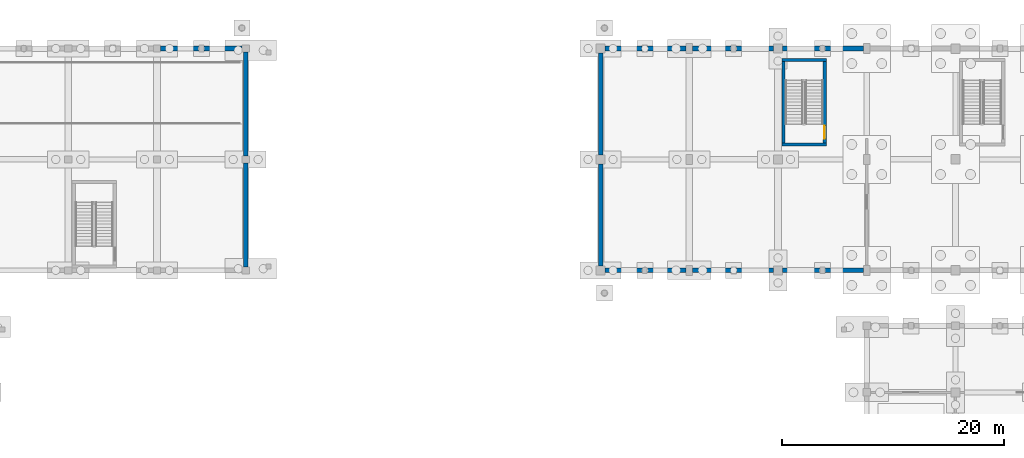
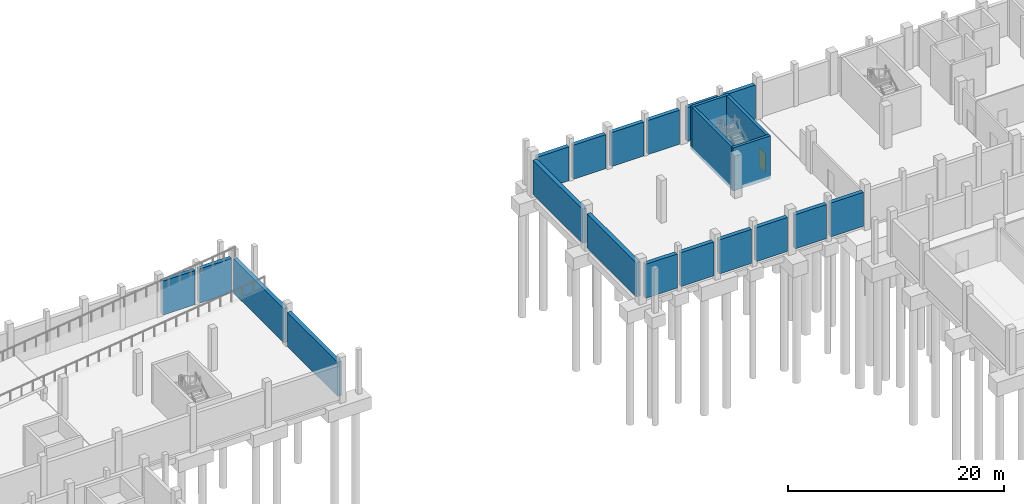
# One storey, part 30 of 52: 22 walls, 1 door, 1 opening.
"""IFC4 building model written with IfcOpenShell, lengths in metres."""

from ifc_helpers import new_model, si_unit, direction, frame, frame_2d, origin, place, context, subcontext, project, spatial, rectangle, extrude, material, layer, layer_set, type_object, element, fill, save


model = new_model("IFC4")

# Units and contexts
model_context = context("Model", 3, precision=1e-05, world=origin(), true_north=direction((0.0, 1.0)))
body_context = subcontext(model_context, "Body", "Model", "MODEL_VIEW")
ifc_project = project(units=[si_unit("LENGTHUNIT", "METRE"), si_unit("AREAUNIT", "SQUARE_METRE"), si_unit("VOLUMEUNIT", "CUBIC_METRE"), si_unit("PLANEANGLEUNIT", "RADIAN"), si_unit("MASSUNIT", "GRAM", prefix="KILO")], contexts=[model_context])

# Site, building, storey
site_placement = place(None, origin())
site = spatial("IfcSite", under=ifc_project, at=site_placement, CompositionType="ELEMENT")
building_placement = place(site_placement, origin())
building = spatial("IfcBuilding", under=site, at=building_placement, Name="Luwemba Playhouse", CompositionType="ELEMENT")
storey_placement = place(building_placement, frame((0.0, 0.0, -4.800048828125)))
storey = spatial("IfcBuildingStorey", under=building, at=storey_placement, Name="B1", CompositionType="ELEMENT", Elevation=-4.800048828125)

# Walls
ifc_material_1 = material(Name="Concrete C40/50", Category="concrete")
ifc_layer_1 = layer(ifc_material_1, 0.300048828125)
ifc_layer_set_1 = layer_set([ifc_layer_1], Name="Concrete C40/50")
wall_type_1 = type_object("IfcWallType", Name="WAL-CORE-300", PredefinedType="SHEAR", material=ifc_layer_set_1)
for number, where, z_axis, x_axis, name in (
    (1, (124.35009765625, 106.35009765625, -0.3798828125), (0.0, 0.0, 1.0), (1.0, 0.0, 0.0), "B1 ST-16 stair core wall S"),
    (2, (128.35009765625, 113.969970703125, -0.3798828125), (0.0, 0.0, 1.0), (-1.0, 0.0, 0.0), "B1 ST-16 stair core wall N"),
):
    element("IfcWall", number, at=place(storey_placement, frame(where, z_axis=z_axis, x_axis=x_axis)), inside=storey, type_object=wall_type_1, Name=name, PredefinedType="SHEAR", context=body_context, shape_type="SweptSolid", body=[
        extrude(rectangle(XDim=4.0, YDim=0.300048828125, at=frame_2d((2.0, 0.0))), origin(), (0.0, 0.0, 1.0), 4.8798828125),
    ])
wall_1_placement = place(storey_placement, frame((124.5, 106.5, -0.3798828125), z_axis=(0.0, 0.0, 1.0), x_axis=(0.0, 1.0, 0.0)))
element("IfcWall", 3, at=wall_1_placement, inside=storey, type_object=wall_type_1, Name="B1 ST-16 stair core wall W", PredefinedType="SHEAR", context=body_context, shape_type="SweptSolid", body=[
    extrude(rectangle(XDim=7.320068359375, YDim=0.300048828125, at=frame_2d((3.66015625, 0.0))), origin(), (0.0, 0.0, 1.0), 4.8798828125),
])

# Wall, opening, door
wall_2_placement = place(storey_placement, frame((128.199951171875, 106.5, -0.3798828125), z_axis=(0.0, 0.0, 1.0), x_axis=(0.0, 1.0, 0.0)))
wall_2 = element("IfcWall", 4, at=wall_2_placement, inside=storey, type_object=wall_type_1, Name="B1 ST-16 stair core wall E", PredefinedType="SHEAR", context=body_context, shape_type="SweptSolid", body=[
    extrude(rectangle(XDim=7.320068359375, YDim=0.300048828125, at=frame_2d((3.66015625, 0.0))), origin(), (0.0, 0.0, 1.0), 4.8798828125),
])
opening_placement = place(wall_2_placement, frame((0.35009765625, 0.0, 0.3798828125)))
opening = element("IfcOpeningElement", 5, at=opening_placement, cuts=wall_2, Name="Opening D-STAIR3", PredefinedType="OPENING", context=body_context, shape_type="SweptSolid", body=[
    extrude(rectangle(XDim=1.199951171875, YDim=2.14990234375, at=frame_2d((0.60009765625, 1.074951171875))), frame((0.0, 0.159912109375, 0.0), z_axis=(0.0, -1.0, 0.0), x_axis=(1.0, 0.0, 0.0)), (0.0, 0.0, 1.0), 0.320068359375),
])
ifc_material_2 = material(Name="Hardwood acoustic fire door leaf", Category="wood")
door_type = type_object("IfcDoorType", Name="DR-STAIR-120", OperationType="NOTDEFINED", PredefinedType="DOOR", material=ifc_material_2)
door_placement = place(opening_placement, origin())
door = element("IfcDoor", 6, at=door_placement, inside=storey, type_object=door_type, Name="B1 ST-16 protected stair entry door", OperationType="SINGLE_SWING_RIGHT", OverallHeight=2.14990234375, OverallWidth=1.199951171875, PredefinedType="DOOR", context=body_context, shape_type="SweptSolid", body=[
    extrude(rectangle(XDim=1.199951171875, YDim=2.14990234375, at=frame_2d((0.60009765625, 1.074951171875))), frame((0.0, 0.02490234375, 0.0), z_axis=(0.0, -1.0, 0.0), x_axis=(1.0, 0.0, 0.0)), (0.0, 0.0, 1.0), 0.050048828125),
])
fill(opening, door)

# Walls
ifc_material_3 = material(Name="Concrete C32/40", Category="concrete")
ifc_layer_2 = layer(ifc_material_3, 0.419921875)
ifc_layer_set_2 = layer_set([ifc_layer_2], Name="Concrete C32/40")
wall_type_2 = type_object("IfcWallType", Name="WAL-RET-420", PredefinedType="USERDEFINED", material=ifc_layer_set_2)
for number, where, z_axis, x_axis, name in (
    (7, (68.324951171875, 115.0, 0.0), (0.0, 0.0, 1.0), (1.0, 0.0, 0.0), "Basement retaining wall 169"),
    (8, (72.22509765625, 115.0, 0.0), (0.0, 0.0, 1.0), (1.0, 0.0, 0.0), "Basement retaining wall 170"),
):
    element("IfcWall", number, at=place(storey_placement, frame(where, z_axis=z_axis, x_axis=x_axis)), inside=storey, type_object=wall_type_2, Name=name, ObjectType="RETAINING WALL", PredefinedType="USERDEFINED", context=body_context, shape_type="SweptSolid", body=[
        extrude(rectangle(XDim=3.449951171875, YDim=0.419921875, at=frame_2d((1.72509765625, 0.0))), origin(), (0.0, 0.0, 1.0), 3.85009765625),
    ])
for number, where, z_axis, x_axis, name in (
    (9, (76.0, 114.675048828125, 0.0), (0.0, 0.0, 1.0), (0.0, -1.0, 0.0), "Basement retaining wall 171"),
    (10, (76.0, 104.675048828125, 0.0), (0.0, 0.0, 1.0), (0.0, -1.0, 0.0), "Basement retaining wall 172"),
):
    element("IfcWall", number, at=place(storey_placement, frame(where, z_axis=z_axis, x_axis=x_axis)), inside=storey, type_object=wall_type_2, Name=name, ObjectType="RETAINING WALL", PredefinedType="USERDEFINED", context=body_context, shape_type="SweptSolid", body=[
        extrude(rectangle(XDim=9.35009765625, YDim=0.419921875, at=frame_2d((4.675048828125, 0.0))), origin(), (0.0, 0.0, 1.0), 3.85009765625),
    ])
for number, where, z_axis, x_axis, name in (
    (11, (108.0, 95.39990234375, 0.0), (0.0, 0.0, 1.0), (0.0, 1.0, 0.0), "Basement retaining wall 184"),
    (12, (108.0, 105.39990234375, 0.0), (0.0, 0.0, 1.0), (0.0, 1.0, 0.0), "Basement retaining wall 185"),
):
    element("IfcWall", number, at=place(storey_placement, frame(where, z_axis=z_axis, x_axis=x_axis)), inside=storey, type_object=wall_type_2, Name=name, ObjectType="RETAINING WALL", PredefinedType="USERDEFINED", context=body_context, shape_type="SweptSolid", body=[
        extrude(rectangle(XDim=9.2001953125, YDim=0.419921875, at=frame_2d((4.60009765625, 0.0))), origin(), (0.0, 0.0, 1.0), 3.85009765625),
    ])
wall_3_placement = place(storey_placement, frame((108.39990234375, 115.0, 0.0), z_axis=(0.0, 0.0, 1.0), x_axis=(1.0, 0.0, 0.0)))
element("IfcWall", 13, at=wall_3_placement, inside=storey, type_object=wall_type_2, Name="Basement retaining wall 186", ObjectType="RETAINING WALL", PredefinedType="USERDEFINED", context=body_context, shape_type="SweptSolid", body=[
    extrude(rectangle(XDim=3.35009765625, YDim=0.419921875, at=frame_2d((1.675048828125, 0.0))), origin(), (0.0, 0.0, 1.0), 3.85009765625),
])
wall_4_placement = place(storey_placement, frame((112.25, 115.0, 0.0), z_axis=(0.0, 0.0, 1.0), x_axis=(1.0, 0.0, 0.0)))
element("IfcWall", 14, at=wall_4_placement, inside=storey, type_object=wall_type_2, Name="Basement retaining wall 187", ObjectType="RETAINING WALL", PredefinedType="USERDEFINED", context=body_context, shape_type="SweptSolid", body=[
    extrude(rectangle(XDim=3.449951171875, YDim=0.419921875, at=frame_2d((1.72509765625, 0.0))), origin(), (0.0, 0.0, 1.0), 3.85009765625),
])
wall_5_placement = place(storey_placement, frame((116.300048828125, 115.0, 0.0), z_axis=(0.0, 0.0, 1.0), x_axis=(1.0, 0.0, 0.0)))
element("IfcWall", 15, at=wall_5_placement, inside=storey, type_object=wall_type_2, Name="Basement retaining wall 188", ObjectType="RETAINING WALL", PredefinedType="USERDEFINED", context=body_context, shape_type="SweptSolid", body=[
    extrude(rectangle(XDim=3.474853515625, YDim=0.419921875, at=frame_2d((1.7373046875, 0.0))), origin(), (0.0, 0.0, 1.0), 3.85009765625),
])
wall_6_placement = place(storey_placement, frame((120.22509765625, 115.0, 0.0), z_axis=(0.0, 0.0, 1.0), x_axis=(1.0, 0.0, 0.0)))
element("IfcWall", 16, at=wall_6_placement, inside=storey, type_object=wall_type_2, Name="Basement retaining wall 189", ObjectType="RETAINING WALL", PredefinedType="USERDEFINED", context=body_context, shape_type="SweptSolid", body=[
    extrude(rectangle(XDim=3.375, YDim=0.419921875, at=frame_2d((1.6875, 0.0))), origin(), (0.0, 0.0, 1.0), 3.85009765625),
])
wall_7_placement = place(storey_placement, frame((124.39990234375, 115.0, 0.0), z_axis=(0.0, 0.0, 1.0), x_axis=(1.0, 0.0, 0.0)))
element("IfcWall", 17, at=wall_7_placement, inside=storey, type_object=wall_type_2, Name="Basement retaining wall 190", ObjectType="RETAINING WALL", PredefinedType="USERDEFINED", context=body_context, shape_type="SweptSolid", body=[
    extrude(rectangle(XDim=3.400146484375, YDim=0.419921875, at=frame_2d((1.7001953125, 0.0))), origin(), (0.0, 0.0, 1.0), 3.85009765625),
])
wall_8_placement = place(storey_placement, frame((128.199951171875, 115.0, 0.0), z_axis=(0.0, 0.0, 1.0), x_axis=(1.0, 0.0, 0.0)))
element("IfcWall", 18, at=wall_8_placement, inside=storey, type_object=wall_type_2, Name="Basement retaining wall 191", ObjectType="RETAINING WALL", PredefinedType="USERDEFINED", context=body_context, shape_type="SweptSolid", body=[
    extrude(rectangle(XDim=3.5, YDim=0.419921875, at=frame_2d((1.75, 0.0))), origin(), (0.0, 0.0, 1.0), 3.85009765625),
])
wall_9_placement = place(storey_placement, frame((131.699951171875, 95.0, 0.0), z_axis=(0.0, 0.0, 1.0), x_axis=(-1.0, 0.0, 0.0)))
element("IfcWall", 19, at=wall_9_placement, inside=storey, type_object=wall_type_2, Name="Basement retaining wall 214", ObjectType="RETAINING WALL", PredefinedType="USERDEFINED", context=body_context, shape_type="SweptSolid", body=[
    extrude(rectangle(XDim=3.474853515625, YDim=0.419921875, at=frame_2d((1.7373046875, 0.0))), origin(), (0.0, 0.0, 1.0), 3.85009765625),
])
wall_10_placement = place(storey_placement, frame((127.77490234375, 95.0, 0.0), z_axis=(0.0, 0.0, 1.0), x_axis=(-1.0, 0.0, 0.0)))
element("IfcWall", 20, at=wall_10_placement, inside=storey, type_object=wall_type_2, Name="Basement retaining wall 215", ObjectType="RETAINING WALL", PredefinedType="USERDEFINED", context=body_context, shape_type="SweptSolid", body=[
    extrude(rectangle(XDim=3.375, YDim=0.419921875, at=frame_2d((1.6875, 0.0))), origin(), (0.0, 0.0, 1.0), 3.85009765625),
])
wall_11_placement = place(storey_placement, frame((123.60009765625, 95.0, 0.0), z_axis=(0.0, 0.0, 1.0), x_axis=(-1.0, 0.0, 0.0)))
element("IfcWall", 21, at=wall_11_placement, inside=storey, type_object=wall_type_2, Name="Basement retaining wall 216", ObjectType="RETAINING WALL", PredefinedType="USERDEFINED", context=body_context, shape_type="SweptSolid", body=[
    extrude(rectangle(XDim=3.35009765625, YDim=0.419921875, at=frame_2d((1.675048828125, 0.0))), origin(), (0.0, 0.0, 1.0), 3.85009765625),
])
wall_12_placement = place(storey_placement, frame((119.75, 95.0, 0.0), z_axis=(0.0, 0.0, 1.0), x_axis=(-1.0, 0.0, 0.0)))
element("IfcWall", 22, at=wall_12_placement, inside=storey, type_object=wall_type_2, Name="Basement retaining wall 217", ObjectType="RETAINING WALL", PredefinedType="USERDEFINED", context=body_context, shape_type="SweptSolid", body=[
    extrude(rectangle(XDim=3.449951171875, YDim=0.419921875, at=frame_2d((1.72509765625, 0.0))), origin(), (0.0, 0.0, 1.0), 3.85009765625),
])
wall_13_placement = place(storey_placement, frame((115.699951171875, 95.0, 0.0), z_axis=(0.0, 0.0, 1.0), x_axis=(-1.0, 0.0, 0.0)))
element("IfcWall", 23, at=wall_13_placement, inside=storey, type_object=wall_type_2, Name="Basement retaining wall 218", ObjectType="RETAINING WALL", PredefinedType="USERDEFINED", context=body_context, shape_type="SweptSolid", body=[
    extrude(rectangle(XDim=3.5, YDim=0.419921875, at=frame_2d((1.75, 0.0))), origin(), (0.0, 0.0, 1.0), 3.85009765625),
])
wall_14_placement = place(storey_placement, frame((111.800048828125, 95.0, 0.0), z_axis=(0.0, 0.0, 1.0), x_axis=(-1.0, 0.0, 0.0)))
element("IfcWall", 24, at=wall_14_placement, inside=storey, type_object=wall_type_2, Name="Basement retaining wall 219", ObjectType="RETAINING WALL", PredefinedType="USERDEFINED", context=body_context, shape_type="SweptSolid", body=[
    extrude(rectangle(XDim=3.400146484375, YDim=0.419921875, at=frame_2d((1.7001953125, 0.0))), origin(), (0.0, 0.0, 1.0), 3.85009765625),
])

save(model, "model.ifc")
